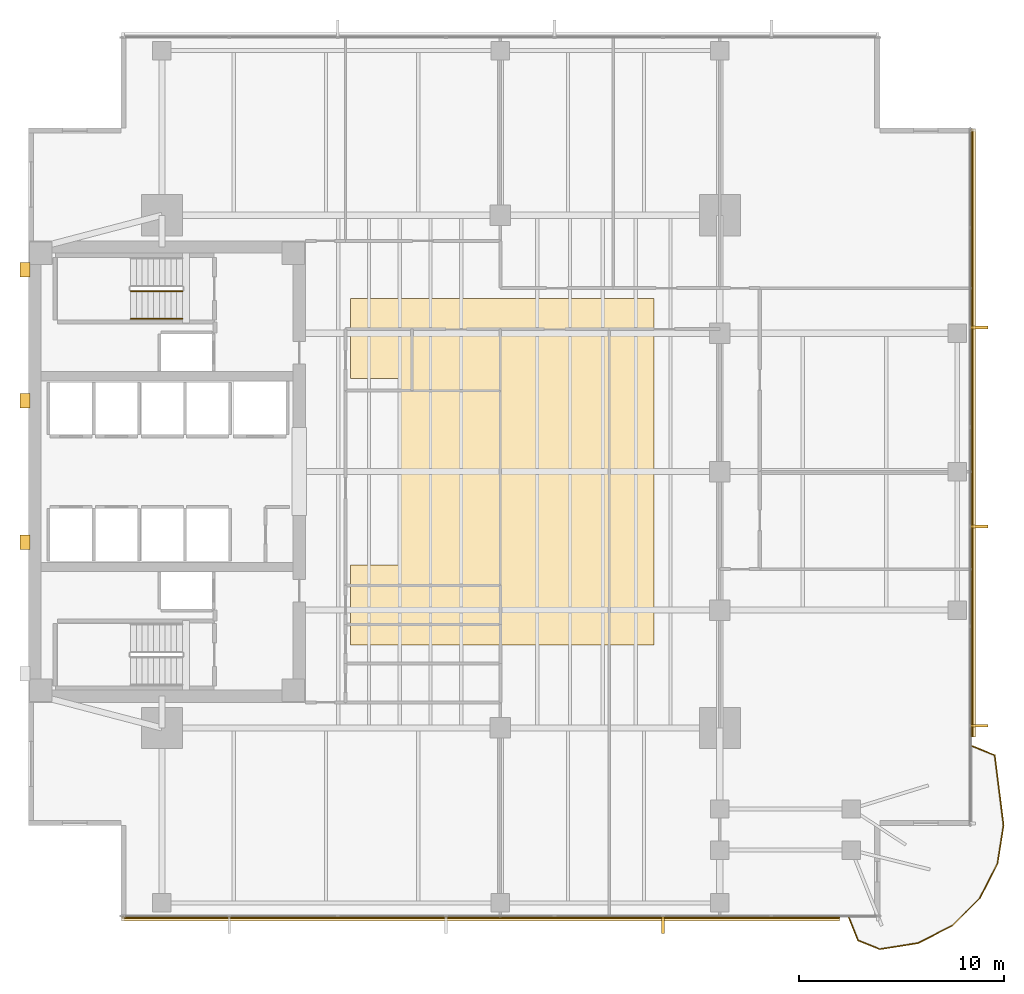
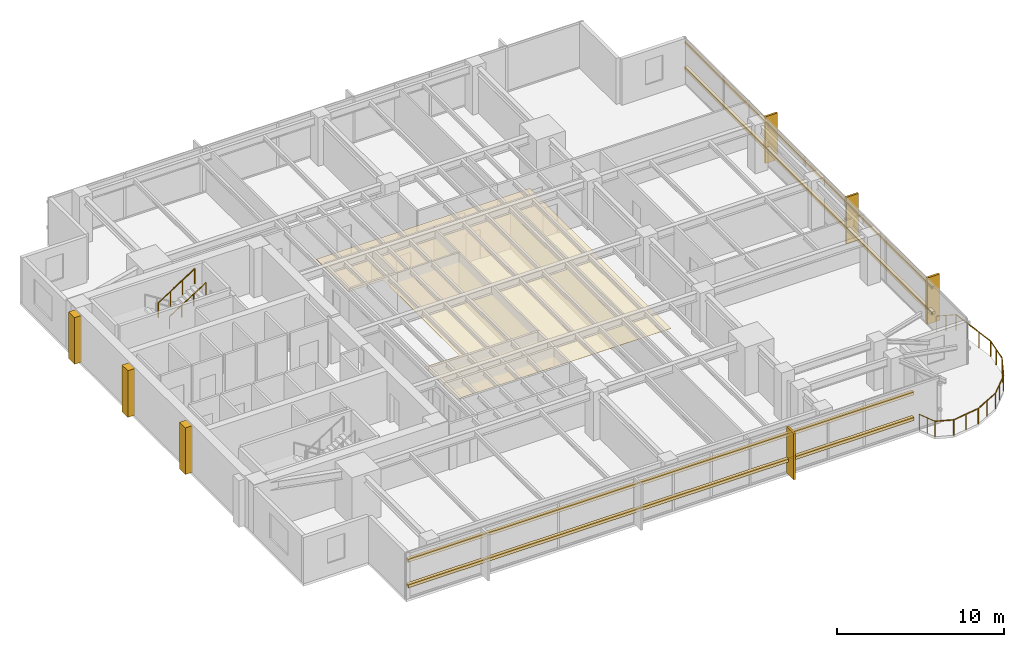
# One storey, part 12 of 14: 12 coverings, 11 railings, 4 shading devices.
"""IFC4 building model written with IfcOpenShell, lengths in metres."""

from ifc_helpers import new_model, si_unit, direction, frame, origin, origin_2d, place, context, subcontext, project, spatial, polyline, rectangle, circle, outline, extrude, material, layer, layer_set, material_profile, profile_set, type_object, element, save


model = new_model("IFC4")

# Units and contexts
model_context = context("Model", 3, precision=1e-05, world=origin(), true_north=direction((0.0, 1.0)))
body_context = subcontext(model_context, "Body", "Model", "MODEL_VIEW")
ifc_project = project(units=[si_unit("LENGTHUNIT", "METRE"), si_unit("AREAUNIT", "SQUARE_METRE"), si_unit("VOLUMEUNIT", "CUBIC_METRE"), si_unit("PLANEANGLEUNIT", "RADIAN"), si_unit("MASSUNIT", "GRAM", prefix="KILO")], contexts=[model_context])

# Site, building, storey
site_placement = place(None, origin())
site = spatial("IfcSite", under=ifc_project, at=site_placement, CompositionType="ELEMENT")
building_placement = place(site_placement, origin())
building = spatial("IfcBuilding", under=site, at=building_placement, Name="Kinhvarn Gate Tower", CompositionType="ELEMENT")
storey_placement = place(building_placement, frame((0.0, 0.0, 123.550048828125)))
storey = spatial("IfcBuildingStorey", under=building, at=storey_placement, Name="L32", CompositionType="ELEMENT", Elevation=123.550048828125)

# Coverings
ifc_material_1 = material(Name="Fired architectural terracotta", Category="masonry")
ifc_layer_1 = layer(ifc_material_1, 0.239990234375)
ifc_layer_set_1 = layer_set([ifc_layer_1], Name="Fired architectural terracotta")
covering_type_1 = type_object("IfcCoveringType", Name="COV-BAG-220", PredefinedType="CLADDING", material=ifc_layer_set_1)
for number, where, name in (
    (1, (0.0, 0.0, 0.93994140625), "Terracotta Horizontal Sunscreen Band TBG-220 (L32)"),
    (2, (0.0, 0.0, 2.81005859375), "Terracotta Horizontal Sunscreen Band TBG-220 (L32)"),
):
    element("IfcCovering", number, at=place(storey_placement, frame(where)), inside=storey, type_object=covering_type_1, Name=name, PredefinedType="CLADDING", context=body_context, shape_type="SweptSolid", body=[
        extrude(outline(polyline([(9.0400390625, 3.570068359375), (44.044921875, 3.570068359375), (44.044921875, 3.330078125), (9.0400390625, 3.330078125), (9.0400390625, 3.570068359375)])), origin(), (0.0, 0.0, 1.0), 0.219970703125),
    ])
for number, where, name in (
    (3, (0.0, 0.0, 0.93994140625), "Terracotta Horizontal Sunscreen Band TBG-220 (L32)"),
    (4, (0.0, 0.0, 2.81005859375), "Terracotta Horizontal Sunscreen Band TBG-220 (L32)"),
):
    element("IfcCovering", number, at=place(storey_placement, frame(where)), inside=storey, type_object=covering_type_1, Name=name, PredefinedType="CLADDING", context=body_context, shape_type="SweptSolid", body=[
        extrude(outline(polyline([(50.429931640625, 12.320068359375), (50.429931640625, 41.9599609375), (50.669921875, 41.9599609375), (50.669921875, 12.320068359375), (50.429931640625, 12.320068359375)])), origin(), (0.0, 0.0, 1.0), 0.219970703125),
    ])
ifc_material_2 = material(Name="Mineral-fibre acoustic ceiling tile")
ifc_layer_2 = layer(ifc_material_2, 0.02001953125)
ifc_layer_set_2 = layer_set([ifc_layer_2], Name="Mineral-fibre acoustic ceiling tile")
covering_type_2 = type_object("IfcCoveringType", Name="COV-CEIL-20", PredefinedType="CEILING", material=ifc_layer_set_2)
covering_1_placement = place(storey_placement, frame((0.0, 0.0, 2.64990234375)))
element("IfcCovering", 5, at=covering_1_placement, inside=storey, type_object=covering_type_2, Name="Suspended Acoustic Ceiling Tile (L32-1)", PredefinedType="CEILING", context=body_context, shape_type="SweptSolid", body=[
    extrude(outline(polyline([(35.0, 33.699951171875), (35.0, 16.800048828125), (20.199951171875, 16.800048828125), (20.199951171875, 20.699951171875), (22.60009765625, 20.699951171875), (22.60009765625, 29.800048828125), (20.199951171875, 29.800048828125), (20.199951171875, 33.699951171875), (35.0, 33.699951171875)])), origin(), (0.0, 0.0, 1.0), 0.02001953125),
])
ifc_layer_3 = layer(ifc_material_1, 0.139892578125)
ifc_layer_set_3 = layer_set([ifc_layer_3], Name="Fired architectural terracotta")
covering_type_3 = type_object("IfcCoveringType", Name="COV-FIN-850", PredefinedType="CLADDING", material=ifc_layer_set_3)
covering_2_placement = place(storey_placement, frame((0.0, 0.0, -0.02001953125)))
element("IfcCovering", 6, at=covering_2_placement, inside=storey, type_object=covering_type_3, Name="Vertical Terracotta Expressive Fin TFN-850 (L32)", PredefinedType="CLADDING", context=body_context, shape_type="SweptSolid", body=[
    extrude(outline(polyline([(35.358642578125, 3.580078125), (35.49853515625, 3.580078125), (35.49853515625, 2.72998046875), (35.358642578125, 2.72998046875), (35.358642578125, 3.580078125)])), origin(), (0.0, 0.0, 1.0), 3.409912109375),
])
covering_3_placement = place(storey_placement, frame((0.0, 0.0, -0.02001953125)))
element("IfcCovering", 7, at=covering_3_placement, inside=storey, type_object=covering_type_3, Name="Vertical Terracotta Expressive Fin TFN-850 (L32)", PredefinedType="CLADDING", context=body_context, shape_type="SweptSolid", body=[
    extrude(outline(polyline([(50.419921875, 12.787109375), (50.419921875, 12.927001953125), (51.27001953125, 12.927001953125), (51.27001953125, 12.787109375), (50.419921875, 12.787109375)])), origin(), (0.0, 0.0, 1.0), 3.409912109375),
])
covering_4_placement = place(storey_placement, frame((0.0, 0.0, -0.02001953125)))
element("IfcCovering", 8, at=covering_4_placement, inside=storey, type_object=covering_type_3, Name="Vertical Terracotta Expressive Fin TFN-850 (L32)", PredefinedType="CLADDING", context=body_context, shape_type="SweptSolid", body=[
    extrude(outline(polyline([(50.419921875, 22.50146484375), (50.419921875, 22.641357421875), (51.27001953125, 22.641357421875), (51.27001953125, 22.50146484375), (50.419921875, 22.50146484375)])), origin(), (0.0, 0.0, 1.0), 3.409912109375),
])
covering_5_placement = place(storey_placement, frame((0.0, 0.0, -0.02001953125)))
element("IfcCovering", 9, at=covering_5_placement, inside=storey, type_object=covering_type_3, Name="Vertical Terracotta Expressive Fin TFN-850 (L32)", PredefinedType="CLADDING", context=body_context, shape_type="SweptSolid", body=[
    extrude(outline(polyline([(50.419921875, 32.2158203125), (50.419921875, 32.355712890625), (51.27001953125, 32.355712890625), (51.27001953125, 32.2158203125), (50.419921875, 32.2158203125)])), origin(), (0.0, 0.0, 1.0), 3.409912109375),
])
ifc_material_3 = material(Name="Precast white architectural concrete C40/50", Category="concrete")
ifc_layer_4 = layer(ifc_material_3, 0.47998046875)
ifc_layer_set_4 = layer_set([ifc_layer_4], Name="Precast white architectural concrete C40/50")
covering_type_4 = type_object("IfcCoveringType", Name="COV-RIB-450", PredefinedType="CLADDING", material=ifc_layer_set_4)
covering_6_placement = place(storey_placement, frame((0.0, 0.0, -0.02001953125)))
element("IfcCovering", 10, at=covering_6_placement, inside=storey, type_object=covering_type_4, Name="West Core Sculptural Concrete Relief Rib CRB-450 (L32)", PredefinedType="CLADDING", context=body_context, shape_type="SweptSolid", body=[
    extrude(outline(polyline([(4.080078125, 21.449951171875), (4.56005859375, 21.449951171875), (4.56005859375, 22.14990234375), (4.080078125, 22.14990234375), (4.080078125, 21.449951171875)])), origin(), (0.0, 0.0, 1.0), 3.409912109375),
])
covering_7_placement = place(storey_placement, frame((0.0, 0.0, -0.02001953125)))
element("IfcCovering", 11, at=covering_7_placement, inside=storey, type_object=covering_type_4, Name="West Core Sculptural Concrete Relief Rib CRB-450 (L32)", PredefinedType="CLADDING", context=body_context, shape_type="SweptSolid", body=[
    extrude(outline(polyline([(4.080078125, 28.35009765625), (4.56005859375, 28.35009765625), (4.56005859375, 29.050048828125), (4.080078125, 29.050048828125), (4.080078125, 28.35009765625)])), origin(), (0.0, 0.0, 1.0), 3.409912109375),
])
covering_8_placement = place(storey_placement, frame((0.0, 0.0, -0.02001953125)))
element("IfcCovering", 12, at=covering_8_placement, inside=storey, type_object=covering_type_4, Name="West Core Sculptural Concrete Relief Rib CRB-450 (L32)", PredefinedType="CLADDING", context=body_context, shape_type="SweptSolid", body=[
    extrude(outline(polyline([(4.080078125, 34.75), (4.56005859375, 34.75), (4.56005859375, 35.449951171875), (4.080078125, 35.449951171875), (4.080078125, 34.75)])), origin(), (0.0, 0.0, 1.0), 3.409912109375),
])

# Railings
ifc_material_4 = material(Name="Clear low-e double glazing", Category="glass")
railing_type_1 = type_object("IfcRailingType", Name="RL-BAL-1150", PredefinedType="BALUSTRADE", material=ifc_material_4)
railing_1_placement = place(storey_placement, frame((44.4951171875, 3.5, 0.0)))
element("IfcRailing", 13, at=railing_1_placement, inside=storey, type_object=railing_type_1, Name="S-Carve Balcony Guardrail Seg 1 (L32)", PredefinedType="BALUSTRADE", context=body_context, shape_type="SweptSolid", body=[
    extrude(circle(Radius=0.02392578125, at=origin_2d()), frame((0.0, 0.0, 1.1259765625), z_axis=(0.377277379734, -0.926100307062, 0.0), x_axis=(0.926100307062, 0.377277379734, 0.0)), (0.0, 0.0, 1.0), 1.192626953125),
    extrude(circle(Radius=0.02099609375, at=origin_2d()), origin(), (0.0, 0.0, 1.0), 1.101806640625),
    extrude(circle(Radius=0.02099609375, at=origin_2d()), frame((0.22509765625, -0.55224609375, 0.0)), (0.0, 0.0, 1.0), 1.101806640625),
    extrude(circle(Radius=0.02099609375, at=origin_2d()), frame((0.449951171875, -1.1044921875, 0.0)), (0.0, 0.0, 1.0), 1.101806640625),
])
railing_2_placement = place(storey_placement, frame((44.945068359375, 2.3955078125, 0.0)))
element("IfcRailing", 14, at=railing_2_placement, inside=storey, type_object=railing_type_1, Name="S-Carve Balcony Guardrail Seg 2 (L32)", PredefinedType="BALUSTRADE", context=body_context, shape_type="SweptSolid", body=[
    extrude(circle(Radius=0.02392578125, at=origin_2d()), frame((0.0, 0.0, 1.1259765625), z_axis=(0.926197732412, -0.377038141937, 0.0), x_axis=(0.377038141937, 0.926197732412, 0.0)), (0.0, 0.0, 1.0), 1.138916015625),
    extrude(circle(Radius=0.02099609375, at=origin_2d()), origin(), (0.0, 0.0, 1.0), 1.101806640625),
    extrude(circle(Radius=0.02099609375, at=origin_2d()), frame((1.054931640625, -0.429443359375, 0.0)), (0.0, 0.0, 1.0), 1.101806640625),
])
railing_3_placement = place(storey_placement, frame((46.0, 1.966064453125, 0.0)))
element("IfcRailing", 15, at=railing_3_placement, inside=storey, type_object=railing_type_1, Name="S-Carve Balcony Guardrail Seg 3 (L32)", PredefinedType="BALUSTRADE", context=body_context, shape_type="SweptSolid", body=[
    extrude(circle(Radius=0.02392578125, at=origin_2d()), frame((0.0, 0.0, 1.1259765625), z_axis=(0.987699967225, 0.156361039724, 0.0), x_axis=(-0.156361039724, 0.987699967225, 0.0)), (0.0, 0.0, 1.0), 1.8876953125),
    extrude(circle(Radius=0.02099609375, at=origin_2d()), origin(), (0.0, 0.0, 1.0), 1.101806640625),
    extrude(circle(Radius=0.02099609375, at=origin_2d()), frame((0.93212890625, 0.1474609375, 0.0)), (0.0, 0.0, 1.0), 1.101806640625),
    extrude(circle(Radius=0.02099609375, at=origin_2d()), frame((1.864501953125, 0.295166015625, 0.0)), (0.0, 0.0, 1.0), 1.101806640625),
])
railing_4_placement = place(storey_placement, frame((47.864501953125, 2.26123046875, 0.0)))
element("IfcRailing", 16, at=railing_4_placement, inside=storey, type_object=railing_type_1, Name="S-Carve Balcony Guardrail Seg 4 (L32)", PredefinedType="BALUSTRADE", context=body_context, shape_type="SweptSolid", body=[
    extrude(circle(Radius=0.02392578125, at=origin_2d()), frame((0.0, 0.0, 1.1259765625), z_axis=(0.890987187048, 0.454028449017, 0.0), x_axis=(-0.454028449017, 0.890987187048, 0.0)), (0.0, 0.0, 1.0), 1.887939453125),
    extrude(circle(Radius=0.02099609375, at=origin_2d()), origin(), (0.0, 0.0, 1.0), 1.101806640625),
    extrude(circle(Radius=0.02099609375, at=origin_2d()), frame((0.841064453125, 0.4287109375, 0.0)), (0.0, 0.0, 1.0), 1.101806640625),
    extrude(circle(Radius=0.02099609375, at=origin_2d()), frame((1.68212890625, 0.857177734375, 0.0)), (0.0, 0.0, 1.0), 1.101806640625),
])
railing_5_placement = place(storey_placement, frame((49.546630859375, 3.118408203125, 0.0)))
element("IfcRailing", 17, at=railing_5_placement, inside=storey, type_object=railing_type_1, Name="S-Carve Balcony Guardrail Seg 5 (L32)", PredefinedType="BALUSTRADE", context=body_context, shape_type="SweptSolid", body=[
    extrude(circle(Radius=0.02392578125, at=origin_2d()), frame((0.0, 0.0, 1.1259765625), z_axis=(0.707106781187, 0.707106781187, 0.0), x_axis=(-0.707106781187, 0.707106781187, 0.0)), (0.0, 0.0, 1.0), 1.887939453125),
    extrude(circle(Radius=0.02099609375, at=origin_2d()), origin(), (0.0, 0.0, 1.0), 1.101806640625),
    extrude(circle(Radius=0.02099609375, at=origin_2d()), frame((0.66748046875, 0.66748046875, 0.0)), (0.0, 0.0, 1.0), 1.101806640625),
    extrude(circle(Radius=0.02099609375, at=origin_2d()), frame((1.3349609375, 1.3349609375, 0.0)), (0.0, 0.0, 1.0), 1.101806640625),
])
railing_6_placement = place(storey_placement, frame((50.881591796875, 4.453369140625, 0.0)))
element("IfcRailing", 18, at=railing_6_placement, inside=storey, type_object=railing_type_1, Name="S-Carve Balcony Guardrail Seg 6 (L32)", PredefinedType="BALUSTRADE", context=body_context, shape_type="SweptSolid", body=[
    extrude(circle(Radius=0.02392578125, at=origin_2d()), frame((0.0, 0.0, 1.1259765625), z_axis=(0.454028449017, 0.890987187048, 0.0), x_axis=(-0.890987187048, 0.454028449017, 0.0)), (0.0, 0.0, 1.0), 1.887939453125),
    extrude(circle(Radius=0.02099609375, at=origin_2d()), origin(), (0.0, 0.0, 1.0), 1.101806640625),
    extrude(circle(Radius=0.02099609375, at=origin_2d()), frame((0.4287109375, 0.841064453125, 0.0)), (0.0, 0.0, 1.0), 1.101806640625),
    extrude(circle(Radius=0.02099609375, at=origin_2d()), frame((0.857177734375, 1.68212890625, 0.0)), (0.0, 0.0, 1.0), 1.101806640625),
])
railing_7_placement = place(storey_placement, frame((51.73876953125, 6.135498046875, 0.0)))
element("IfcRailing", 19, at=railing_7_placement, inside=storey, type_object=railing_type_1, Name="S-Carve Balcony Guardrail Seg 7 (L32)", PredefinedType="BALUSTRADE", context=body_context, shape_type="SweptSolid", body=[
    extrude(circle(Radius=0.02392578125, at=origin_2d()), frame((0.0, 0.0, 1.1259765625), z_axis=(0.156361039724, 0.987699967225, 0.0), x_axis=(-0.987699967225, 0.156361039724, 0.0)), (0.0, 0.0, 1.0), 1.8876953125),
    extrude(circle(Radius=0.02099609375, at=origin_2d()), origin(), (0.0, 0.0, 1.0), 1.101806640625),
    extrude(circle(Radius=0.02099609375, at=origin_2d()), frame((0.1474609375, 0.93212890625, 0.0)), (0.0, 0.0, 1.0), 1.101806640625),
    extrude(circle(Radius=0.02099609375, at=origin_2d()), frame((0.295166015625, 1.864501953125, 0.0)), (0.0, 0.0, 1.0), 1.101806640625),
])
railing_8_placement = place(storey_placement, frame((52.033935546875, 8.0, 0.0)))
element("IfcRailing", 20, at=railing_8_placement, inside=storey, type_object=railing_type_1, Name="S-Carve Balcony Guardrail Seg 8 (L32)", PredefinedType="BALUSTRADE", context=body_context, shape_type="SweptSolid", body=[
    extrude(circle(Radius=0.02392578125, at=origin_2d()), frame((0.0, 0.0, 1.1259765625), z_axis=(-0.124592649442, 0.992207978049, 0.0), x_axis=(-0.992207978049, -0.124592649442, 0.0)), (0.0, 0.0, 1.0), 3.44677734375),
    extrude(circle(Radius=0.02099609375, at=origin_2d()), origin(), (0.0, 0.0, 1.0), 1.101806640625),
    extrude(circle(Radius=0.02099609375, at=origin_2d()), frame((-0.14306640625, 1.139892578125, 0.0)), (0.0, 0.0, 1.0), 1.101806640625),
    extrude(circle(Radius=0.02099609375, at=origin_2d()), frame((-0.286376953125, 2.280029296875, 0.0)), (0.0, 0.0, 1.0), 1.101806640625),
    extrude(circle(Radius=0.02099609375, at=origin_2d()), frame((-0.429443359375, 3.419921875, 0.0)), (0.0, 0.0, 1.0), 1.101806640625),
])
railing_9_placement = place(storey_placement, frame((51.6044921875, 11.419921875, 0.0)))
element("IfcRailing", 21, at=railing_9_placement, inside=storey, type_object=railing_type_1, Name="S-Carve Balcony Guardrail Seg 9 (L32)", PredefinedType="BALUSTRADE", context=body_context, shape_type="SweptSolid", body=[
    extrude(circle(Radius=0.02392578125, at=origin_2d()), frame((0.0, 0.0, 1.1259765625), z_axis=(-0.926028771547, 0.37745292987, 0.0), x_axis=(-0.37745292987, -0.926028771547, 0.0)), (0.0, 0.0, 1.0), 1.192626953125),
    extrude(circle(Radius=0.02099609375, at=origin_2d()), origin(), (0.0, 0.0, 1.0), 1.101806640625),
    extrude(circle(Radius=0.02099609375, at=origin_2d()), frame((-0.55224609375, 0.22509765625, 0.0)), (0.0, 0.0, 1.0), 1.101806640625),
    extrude(circle(Radius=0.02099609375, at=origin_2d()), frame((-1.1044921875, 0.4501953125, 0.0)), (0.0, 0.0, 1.0), 1.101806640625),
])
ifc_material_5 = material(Name="Steel S355", Category="steel")
railing_type_2 = type_object("IfcRailingType", Name="RL-ST-GRD", PredefinedType="BALUSTRADE", material=ifc_material_5)
railing_10_placement = place(storey_placement, frame((9.47998046875, 34.050048828125, 1.952392578125)))
element("IfcRailing", 22, at=railing_10_placement, inside=storey, type_object=railing_type_2, Name="L32 ST2 stair guard 3", PredefinedType="BALUSTRADE", context=body_context, shape_type="SweptSolid", body=[
    extrude(circle(Radius=0.02392578125, at=origin_2d()), frame((0.0, 0.0, 1.076171875), z_axis=(0.84456994832, 0.0, 0.535445237532), x_axis=(0.0, 1.0, 0.0)), (0.0, 0.0, 1.0), 2.98388671875),
    extrude(circle(Radius=0.02099609375, at=origin_2d()), origin(), (0.0, 0.0, 1.0), 1.052001953125),
    extrude(circle(Radius=0.02099609375, at=origin_2d()), frame((0.840087890625, 0.0, 0.532470703125)), (0.0, 0.0, 1.0), 1.052001953125),
    extrude(circle(Radius=0.02099609375, at=origin_2d()), frame((1.679931640625, 0.0, 1.065185546875)), (0.0, 0.0, 1.0), 1.052001953125),
    extrude(circle(Radius=0.02099609375, at=origin_2d()), frame((2.52001953125, 0.0, 1.59765625)), (0.0, 0.0, 1.0), 1.052001953125),
])
railing_type_3 = type_object("IfcRailingType", Name="RL-ST-HND", PredefinedType="HANDRAIL", material=ifc_material_5)
railing_11_placement = place(storey_placement, frame((9.47998046875, 32.699951171875, 1.952392578125)))
element("IfcRailing", 23, at=railing_11_placement, inside=storey, type_object=railing_type_3, Name="L32 ST2 stair handrail 2", PredefinedType="HANDRAIL", context=body_context, shape_type="SweptSolid", body=[
    extrude(circle(Radius=0.02392578125, at=origin_2d()), frame((0.0, 0.0, 0.8759765625), z_axis=(0.84456994832, 0.0, 0.535445237532), x_axis=(0.0, 1.0, 0.0)), (0.0, 0.0, 1.0), 2.98388671875),
    extrude(circle(Radius=0.02099609375, at=origin_2d()), origin(), (0.0, 0.0, 1.0), 0.851806640625),
    extrude(circle(Radius=0.02099609375, at=origin_2d()), frame((0.840087890625, 0.0, 0.532470703125)), (0.0, 0.0, 1.0), 0.851806640625),
    extrude(circle(Radius=0.02099609375, at=origin_2d()), frame((1.679931640625, 0.0, 1.065185546875)), (0.0, 0.0, 1.0), 0.851806640625),
    extrude(circle(Radius=0.02099609375, at=origin_2d()), frame((2.52001953125, 0.0, 1.59765625)), (0.0, 0.0, 1.0), 0.851806640625),
])

# Shading devices
ifc_material_profile = material_profile(ifc_material_1, rectangle(XDim=0.050048828125, YDim=0.1201171875, at=origin_2d()), Name="TC 50x120")
ifc_profile_set = profile_set([ifc_material_profile], Name="Fired architectural terracotta")
shading_device_type = type_object("IfcShadingDeviceType", Name="SHD-BAG-140", PredefinedType="USERDEFINED", material=ifc_profile_set)
for number, where, z_axis, x_axis, name in (
    (24, (9.0400390625, 3.5, 1.050048828125), (1.0, 0.0, 0.0), (0.0, 1.0, 0.0), "Upper Tower Terracotta Baguette Screen Rod 50x120 mm (L32)"),
    (25, (9.0400390625, 3.5, 2.919921875), (1.0, 0.0, 0.0), (0.0, 1.0, 0.0), "Upper Tower Terracotta Baguette Screen Rod 50x120 mm (L32)"),
):
    element("IfcShadingDevice", number, at=place(storey_placement, frame(where, z_axis=z_axis, x_axis=x_axis)), inside=storey, type_object=shading_device_type, Name=name, ObjectType="BAGUETTE", PredefinedType="USERDEFINED", context=body_context, shape_type="SweptSolid", body=[
        extrude(rectangle(XDim=0.050048828125, YDim=0.1201171875, at=origin_2d()), origin(), (0.0, 0.0, 1.0), 35.0048828125),
    ])
for number, where, z_axis, x_axis, name in (
    (26, (50.5, 12.320068359375, 1.050048828125), (0.0, 1.0, 0.0), (-1.0, 0.0, 0.0), "Upper Tower Terracotta Baguette Screen Rod 50x120 mm (L32)"),
    (27, (50.5, 12.320068359375, 2.919921875), (0.0, 1.0, 0.0), (-1.0, 0.0, 0.0), "Upper Tower Terracotta Baguette Screen Rod 50x120 mm (L32)"),
):
    element("IfcShadingDevice", number, at=place(storey_placement, frame(where, z_axis=z_axis, x_axis=x_axis)), inside=storey, type_object=shading_device_type, Name=name, ObjectType="BAGUETTE", PredefinedType="USERDEFINED", context=body_context, shape_type="SweptSolid", body=[
        extrude(rectangle(XDim=0.050048828125, YDim=0.1201171875, at=origin_2d()), origin(), (0.0, 0.0, 1.0), 29.639892578125),
    ])

save(model, "model.ifc")
